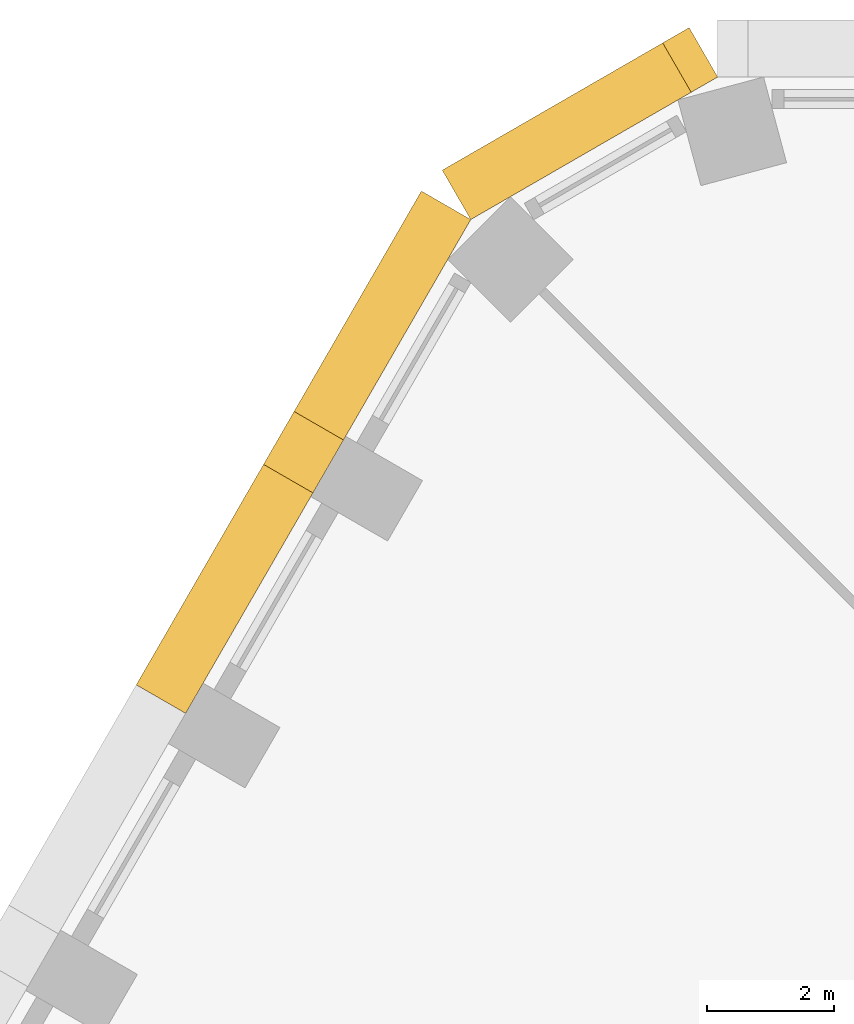
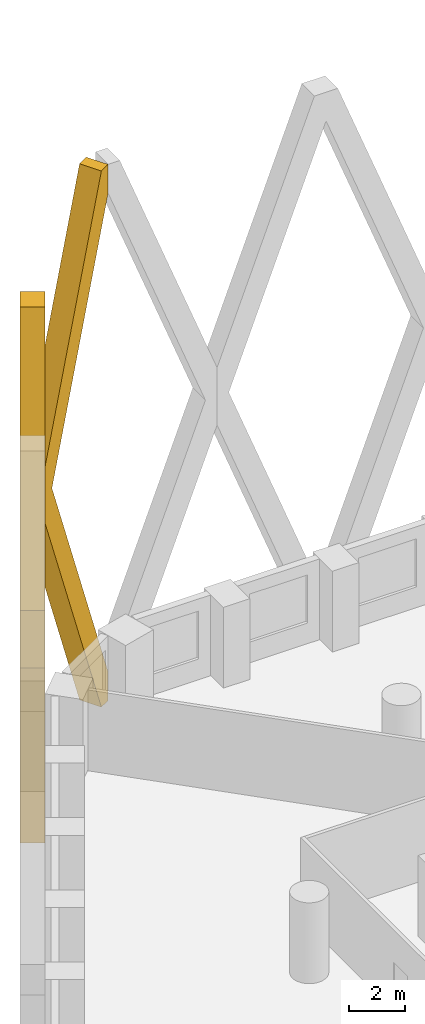
# One storey, part 16 of 18: 2 coverings.
"""IFC4 building model written with IfcOpenShell, lengths in metres."""

from ifc_helpers import new_model, si_unit, direction, frame, origin, place, context, subcontext, project, spatial, polyline, outline, extrude, material, type_object, element, save


model = new_model("IFC4")

# Units and contexts
model_context = context("Model", 3, precision=1e-05, world=origin(), true_north=direction((0.0, 1.0)))
body_context = subcontext(model_context, "Body", "Model", "MODEL_VIEW")
ifc_project = project(units=[si_unit("LENGTHUNIT", "METRE"), si_unit("AREAUNIT", "SQUARE_METRE"), si_unit("VOLUMEUNIT", "CUBIC_METRE"), si_unit("PLANEANGLEUNIT", "RADIAN"), si_unit("MASSUNIT", "GRAM", prefix="KILO")], contexts=[model_context])

# Site, building, storey
site_placement = place(None, origin())
site = spatial("IfcSite", under=ifc_project, at=site_placement, CompositionType="ELEMENT")
building_placement = place(site_placement, origin())
building = spatial("IfcBuilding", under=site, at=building_placement, Name="Dhurran Vertical Campus", CompositionType="ELEMENT")
storey_placement = place(building_placement, frame((0.0, 0.0, 53.39990234375)))
storey = spatial("IfcBuildingStorey", under=building, at=storey_placement, Name="L12", CompositionType="ELEMENT", Elevation=53.39990234375)

# Coverings
ifc_material = material(Name="Precast concrete C50/60", Category="concrete")
covering_type = type_object("IfcCoveringType", Name="Folded precast fin lattice diamond", PredefinedType="USERDEFINED", material=ifc_material)
covering_1_placement = place(storey_placement, frame((-20.25, 31.77978515625, 0.0), z_axis=(-0.50001992892, 0.866013897511, 0.0), x_axis=(-0.866013897511, -0.50001992892, 0.0)))
element("IfcCovering", 1, at=covering_1_placement, inside=storey, type_object=covering_type, Name="FN1 L12.022", ObjectType="FIN", PredefinedType="USERDEFINED", context=body_context, shape_type="SweptSolid", body=[
    extrude(outline(polyline([(4.5, 10.4462890625), (0.482177734375, 0.0), (0.0, 0.0), (0.0, 1.253662109375), (4.017822265625, 11.699951171875), (0.0, 22.146484375), (0.0, 23.39990234375), (0.482177734375, 23.39990234375), (4.5, 12.95361328125), (4.5, 10.4462890625)])), origin(), (0.0, 0.0, 1.0), 0.89990234375),
])
covering_2_placement = place(storey_placement, frame((-24.147216796875, 29.52978515625, 0.0), z_axis=(-0.866013897511, 0.50001992892, 0.0), x_axis=(-0.50001992892, -0.866013897511, 0.0)))
element("IfcCovering", 2, at=covering_2_placement, inside=storey, type_object=covering_type, Name="FN1 L12.023", ObjectType="FIN", PredefinedType="USERDEFINED", context=body_context, shape_type="SweptSolid", body=[
    extrude(outline(polyline([(9.0, 12.95361328125), (9.0, 10.4462890625), (4.982177734375, 0.0), (4.017822265625, 0.0), (0.0, 10.4462890625), (0.0, 12.95361328125), (4.017822265625, 23.39990234375), (4.982177734375, 23.39990234375), (9.0, 12.95361328125)]), holes=[polyline([(8.517822265625, 11.699951171875), (4.5, 22.146484375), (0.482177734375, 11.699951171875), (4.5, 1.253662109375), (8.517822265625, 11.699951171875)])]), origin(), (0.0, 0.0, 1.0), 0.89990234375),
])

save(model, "model.ifc")
